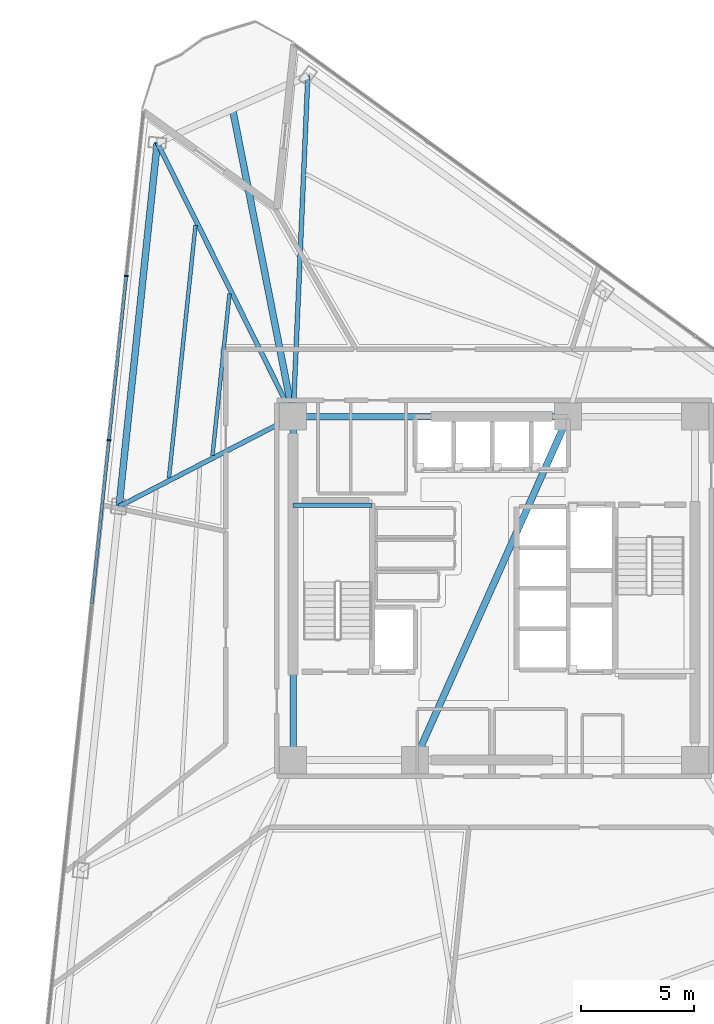
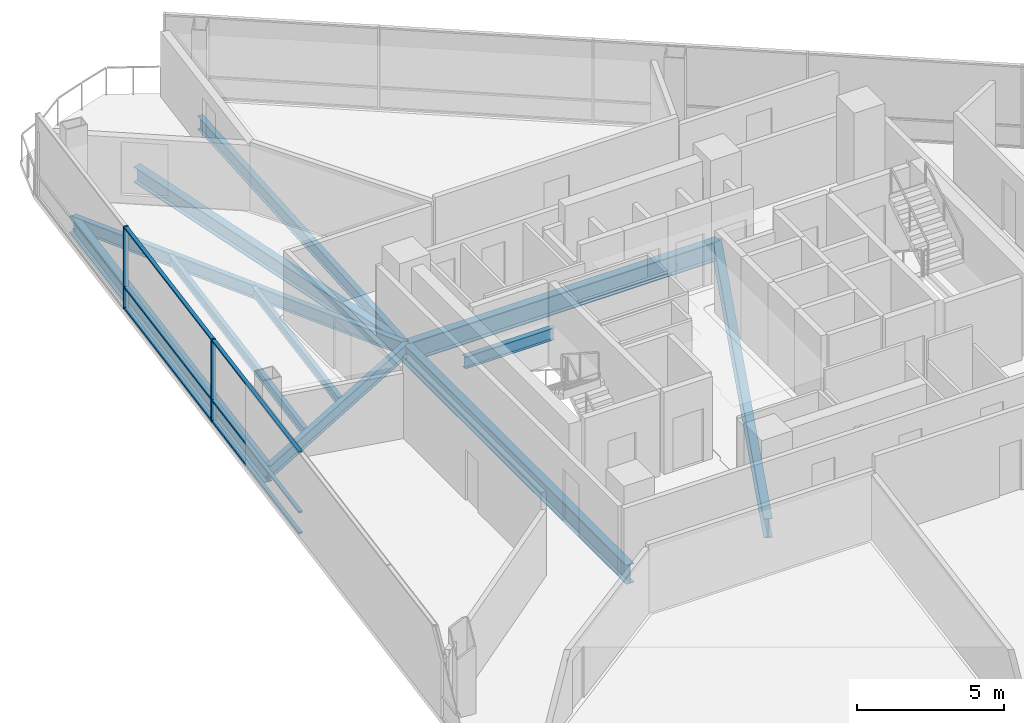
# One storey, part 7 of 19: 11 beams, 8 members, 1 element without a shape of its own.
"""IFC4 building model written with IfcOpenShell, lengths in metres."""

from ifc_helpers import new_model, si_unit, direction, frame, origin, origin_2d, place, context, subcontext, project, spatial, rectangle, i_section, extrude, material, layer, layer_set, material_profile, profile_set, type_object, element, aggregate, save


model = new_model("IFC4")

# Units and contexts
model_context = context("Model", 3, precision=1e-05, world=origin(), true_north=direction((0.0, 1.0)))
body_context = subcontext(model_context, "Body", "Model", "MODEL_VIEW")
ifc_project = project(units=[si_unit("LENGTHUNIT", "METRE"), si_unit("AREAUNIT", "SQUARE_METRE"), si_unit("VOLUMEUNIT", "CUBIC_METRE"), si_unit("PLANEANGLEUNIT", "RADIAN"), si_unit("MASSUNIT", "GRAM", prefix="KILO")], contexts=[model_context])

# Site, building, storey
site_placement = place(None, origin())
site = spatial("IfcSite", under=ifc_project, at=site_placement, CompositionType="ELEMENT")
building_placement = place(site_placement, origin())
building = spatial("IfcBuilding", under=site, at=building_placement, Name="Tharavind Bronze Gate", CompositionType="ELEMENT")
storey_placement = place(building_placement, frame((0.0, 0.0, 126.85009765625)))
storey = spatial("IfcBuildingStorey", under=building, at=storey_placement, Name="L32", CompositionType="ELEMENT", Elevation=126.85009765625)

# Curtain wall, members
ifc_material_1 = material(Name="Anodised Bronze Aluminium", Category="aluminium")
ifc_layer = layer(ifc_material_1, 0.219970703125)
ifc_layer_set = layer_set([ifc_layer], Name="Anodised Bronze Aluminium")
curtain_wall_type = type_object("IfcCurtainWallType", Name="UNITISED CURTAIN WALL LOWER OFFICE", PredefinedType="USERDEFINED", material=ifc_layer_set)
curtain_wall_placement = place(storey_placement, origin())
curtain_wall = element("IfcCurtainWall", 1, at=curtain_wall_placement, inside=storey, type_object=curtain_wall_type, Name="L32 unitised curtain wall lower office CW-L32-S1", ObjectType="UNITISED CURTAIN WALL", PredefinedType="USERDEFINED")
member_type_1 = type_object("IfcMemberType", Name="CURTAIN WALL BRONZE MULLION 65X180", PredefinedType="MULLION", material=ifc_material_1)
member_1_placement = place(storey_placement, frame((-16.2919921875, 13.828369140625, 0.0), z_axis=(0.0, 0.0, 1.0), x_axis=(-0.104526727499, -0.994522077803, 0.0)))
member_1 = element("IfcMember", 2, at=member_1_placement, type_object=member_type_1, Name="CW-L32-S1 mullion 2", PredefinedType="MULLION", context=body_context, shape_type="SweptSolid", body=[
    extrude(rectangle(XDim=0.06494140625, YDim=0.179931640625, at=origin_2d()), origin(), (0.0, 0.0, 1.0), 3.409912109375),
])
member_2_placement = place(storey_placement, frame((-17.056396484375, 6.55517578125, 0.0), z_axis=(0.0, 0.0, 1.0), x_axis=(-0.104526727499, -0.994522077803, 0.0)))
member_2 = element("IfcMember", 3, at=member_2_placement, type_object=member_type_1, Name="CW-L32-S1 mullion 3", PredefinedType="MULLION", context=body_context, shape_type="SweptSolid", body=[
    extrude(rectangle(XDim=0.06494140625, YDim=0.179931640625, at=origin_2d()), origin(), (0.0, 0.0, 1.0), 3.409912109375),
])
member_type_2 = type_object("IfcMemberType", Name="CURTAIN WALL BRONZE TRANSOM 65X140", PredefinedType="USERDEFINED", material=ifc_material_1)
member_3_placement = place(storey_placement, frame((-16.67431640625, 10.19189453125, 0.0), z_axis=(0.0, 0.0, 1.0), x_axis=(-0.104526727499, -0.994522077803, 0.0)))
member_3 = element("IfcMember", 4, at=member_3_placement, type_object=member_type_2, Name="CW-L32-S1 transom TB2", ObjectType="TRANSOM", PredefinedType="USERDEFINED", context=body_context, shape_type="SweptSolid", body=[
    extrude(rectangle(XDim=7.26025390625, YDim=0.139892578125, at=origin_2d()), origin(), (0.0, 0.0, 1.0), 0.06494140625),
])
member_4_placement = place(storey_placement, frame((-16.67431640625, 10.19189453125, 0.867431640625), z_axis=(0.0, 0.0, 1.0), x_axis=(-0.104526727499, -0.994522077803, 0.0)))
member_4 = element("IfcMember", 5, at=member_4_placement, type_object=member_type_2, Name="CW-L32-S1 transom TS2", ObjectType="TRANSOM", PredefinedType="USERDEFINED", context=body_context, shape_type="SweptSolid", body=[
    extrude(rectangle(XDim=7.26025390625, YDim=0.139892578125, at=origin_2d()), origin(), (0.0, 0.0, 1.0), 0.06494140625),
])
member_5_placement = place(storey_placement, frame((-16.67431640625, 10.19189453125, 3.344970703125), z_axis=(0.0, 0.0, 1.0), x_axis=(-0.104526727499, -0.994522077803, 0.0)))
member_5 = element("IfcMember", 6, at=member_5_placement, type_object=member_type_2, Name="CW-L32-S1 transom TT2", ObjectType="TRANSOM", PredefinedType="USERDEFINED", context=body_context, shape_type="SweptSolid", body=[
    extrude(rectangle(XDim=7.26025390625, YDim=0.139892578125, at=origin_2d()), origin(), (0.0, 0.0, 1.0), 0.06494140625),
])
member_6_placement = place(storey_placement, frame((-17.438720703125, 2.91845703125, 0.0), z_axis=(0.0, 0.0, 1.0), x_axis=(-0.104526727499, -0.994522077803, 0.0)))
member_6 = element("IfcMember", 7, at=member_6_placement, type_object=member_type_2, Name="CW-L32-S1 transom TB3", ObjectType="TRANSOM", PredefinedType="USERDEFINED", context=body_context, shape_type="SweptSolid", body=[
    extrude(rectangle(XDim=7.26025390625, YDim=0.139892578125, at=origin_2d()), origin(), (0.0, 0.0, 1.0), 0.06494140625),
])
member_7_placement = place(storey_placement, frame((-17.438720703125, 2.91845703125, 0.867431640625), z_axis=(0.0, 0.0, 1.0), x_axis=(-0.104526727499, -0.994522077803, 0.0)))
member_7 = element("IfcMember", 8, at=member_7_placement, type_object=member_type_2, Name="CW-L32-S1 transom TS3", ObjectType="TRANSOM", PredefinedType="USERDEFINED", context=body_context, shape_type="SweptSolid", body=[
    extrude(rectangle(XDim=7.26025390625, YDim=0.139892578125, at=origin_2d()), origin(), (0.0, 0.0, 1.0), 0.06494140625),
])
member_8_placement = place(storey_placement, frame((-17.438720703125, 2.91845703125, 3.344970703125), z_axis=(0.0, 0.0, 1.0), x_axis=(-0.104526727499, -0.994522077803, 0.0)))
member_8 = element("IfcMember", 9, at=member_8_placement, type_object=member_type_2, Name="CW-L32-S1 transom TT3", ObjectType="TRANSOM", PredefinedType="USERDEFINED", context=body_context, shape_type="SweptSolid", body=[
    extrude(rectangle(XDim=7.26025390625, YDim=0.139892578125, at=origin_2d()), origin(), (0.0, 0.0, 1.0), 0.06494140625),
])
aggregate(curtain_wall, [member_1, member_2, member_3, member_4, member_5, member_6, member_7, member_8])

# Beams
ifc_material_2 = material(Name="Steel S355", Category="steel")
ifc_material_profile_1 = material_profile(ifc_material_2, i_section(OverallWidth=0.300048828125, OverallDepth=0.64990234375, WebThickness=0.01611328125, FlangeThickness=0.031005859375, at=origin_2d()), Name="HE650B")
ifc_profile_set_1 = profile_set([ifc_material_profile_1], Name="Steel S355")
beam_type_1 = type_object("IfcBeamType", Name="PRIMARY GIRDER HE650B", PredefinedType="USERDEFINED", material=ifc_profile_set_1)
beam_1_placement = place(storey_placement, frame((-8.89990234375, 7.60009765625, -0.51513671875), z_axis=(-0.193337817279, 0.981132248176, 0.0), x_axis=(-0.981132248176, -0.193337817279, 0.0)))
element("IfcBeam", 10, at=beam_1_placement, inside=storey, type_object=beam_type_1, Name="L32 primary girder he650b BM-L32-BLCSB", ObjectType="GIRDER", PredefinedType="USERDEFINED", context=body_context, shape_type="SweptSolid", body=[
    extrude(i_section(OverallWidth=0.300048828125, OverallDepth=0.64990234375, WebThickness=0.01611328125, FlangeThickness=0.031005859375, at=origin_2d()), origin(), (0.0, 0.0, 1.0), 13.8779296875),
])
ifc_material_profile_2 = material_profile(ifc_material_2, i_section(OverallWidth=0.199951171875, OverallDepth=0.5, WebThickness=0.01025390625, FlangeThickness=0.01611328125, at=origin_2d()), Name="IPE500")
ifc_profile_set_2 = profile_set([ifc_material_profile_2], Name="Steel S355")
beam_type_2 = type_object("IfcBeamType", Name="PRIMARY GIRDER IPE500", PredefinedType="USERDEFINED", material=ifc_profile_set_2)
beam_2_placement = place(storey_placement, frame((-8.89990234375, 3.679931640625, 1.349853515625), z_axis=(1.0, 0.0, 0.0), x_axis=(0.0, 1.0, 0.0)))
element("IfcBeam", 11, at=beam_2_placement, inside=storey, type_object=beam_type_2, Name="L32 primary girder ipe500 BM-LD-ST1-L32-1", ObjectType="GIRDER", PredefinedType="USERDEFINED", context=body_context, shape_type="SweptSolid", body=[
    extrude(i_section(OverallWidth=0.199951171875, OverallDepth=0.5, WebThickness=0.01025390625, FlangeThickness=0.01611328125, at=origin_2d()), origin(), (0.0, 0.0, 1.0), 3.5),
])
ifc_material_profile_3 = material_profile(ifc_material_2, i_section(OverallWidth=0.2099609375, OverallDepth=0.550048828125, WebThickness=0.010986328125, FlangeThickness=0.01708984375, at=origin_2d()), Name="IPE550")
ifc_profile_set_3 = profile_set([ifc_material_profile_3], Name="Steel S355")
beam_type_3 = type_object("IfcBeamType", Name="PRIMARY GIRDER IPE550", PredefinedType="USERDEFINED", material=ifc_profile_set_3)
beam_3_placement = place(storey_placement, frame((-14.91748046875, 19.7314453125, -0.465087890625), z_axis=(0.444370024662, -0.895843335177, 0.0), x_axis=(0.895843335177, 0.444370024662, 0.0)))
element("IfcBeam", 12, at=beam_3_placement, inside=storey, type_object=beam_type_3, Name="L32 primary girder ipe550 BM-L32-RAD01", ObjectType="GIRDER", PredefinedType="USERDEFINED", context=body_context, shape_type="SweptSolid", body=[
    extrude(i_section(OverallWidth=0.2099609375, OverallDepth=0.550048828125, WebThickness=0.010986328125, FlangeThickness=0.01708984375, at=origin_2d()), origin(), (0.0, 0.0, 1.0), 13.541748046875),
])
beam_4_placement = place(storey_placement, frame((-16.610595703125, 3.62158203125, -0.465087890625), z_axis=(0.888676879782, 0.45853397185, 0.0), x_axis=(-0.45853397185, 0.888676879782, 0.0)))
element("IfcBeam", 13, at=beam_4_placement, inside=storey, type_object=beam_type_3, Name="L32 primary girder ipe550 BM-L32-RAD02", ObjectType="GIRDER", PredefinedType="USERDEFINED", context=body_context, shape_type="SweptSolid", body=[
    extrude(i_section(OverallWidth=0.2099609375, OverallDepth=0.550048828125, WebThickness=0.010986328125, FlangeThickness=0.01708984375, at=origin_2d()), origin(), (0.0, 0.0, 1.0), 8.676513671875),
])
beam_5_placement = place(storey_placement, frame((-8.24853515625, 22.70068359375, -0.465087890625), z_axis=(-0.043095152207, -0.999070972382, 0.0), x_axis=(0.999070972382, -0.043095152207, 0.0)))
element("IfcBeam", 14, at=beam_5_placement, inside=storey, type_object=beam_type_3, Name="L32 primary girder ipe550 BM-L32-RAD12", ObjectType="GIRDER", PredefinedType="USERDEFINED", context=body_context, shape_type="SweptSolid", body=[
    extrude(i_section(OverallWidth=0.2099609375, OverallDepth=0.550048828125, WebThickness=0.010986328125, FlangeThickness=0.01708984375, at=origin_2d()), origin(), (0.0, 0.0, 1.0), 15.11474609375),
])
ifc_material_profile_4 = material_profile(ifc_material_2, i_section(OverallWidth=0.300048828125, OverallDepth=0.699951171875, WebThickness=0.01708984375, FlangeThickness=0.031982421875, at=origin_2d()), Name="HE700B")
ifc_profile_set_4 = profile_set([ifc_material_profile_4], Name="Steel S355")
beam_type_4 = type_object("IfcBeamType", Name="RING GIRDER HE700B", PredefinedType="USERDEFINED", material=ifc_profile_set_4)
beam_6_placement = place(storey_placement, frame((-14.91748046875, 19.7314453125, -0.5400390625), z_axis=(-0.104522380175, -0.994522534708, 0.0), x_axis=(0.994522534708, -0.104522380175, 0.0)))
element("IfcBeam", 15, at=beam_6_placement, inside=storey, type_object=beam_type_4, Name="L32 ring girder he700b BM-L32-PRG01", ObjectType="GIRDER", PredefinedType="USERDEFINED", context=body_context, shape_type="SweptSolid", body=[
    extrude(i_section(OverallWidth=0.300048828125, OverallDepth=0.699951171875, WebThickness=0.01708984375, FlangeThickness=0.031982421875, at=origin_2d()), origin(), (0.0, 0.0, 1.0), 16.198486328125),
])
ifc_material_profile_5 = material_profile(ifc_material_2, i_section(OverallWidth=0.300048828125, OverallDepth=0.800048828125, WebThickness=0.017578125, FlangeThickness=0.032958984375, at=origin_2d()), Name="HE800B")
ifc_profile_set_5 = profile_set([ifc_material_profile_5], Name="Steel S355")
beam_type_5 = type_object("IfcBeamType", Name="RING GIRDER HE800B", PredefinedType="USERDEFINED", material=ifc_profile_set_5)
beam_7_placement = place(storey_placement, frame((3.280029296875, 7.60009765625, -0.590087890625), z_axis=(-1.0, 0.0, 0.0), x_axis=(0.0, -1.0, 0.0)))
element("IfcBeam", 16, at=beam_7_placement, inside=storey, type_object=beam_type_5, Name="L32 ring girder he800b BM-L32-CR5", ObjectType="GIRDER", PredefinedType="USERDEFINED", context=body_context, shape_type="SweptSolid", body=[
    extrude(i_section(OverallWidth=0.300048828125, OverallDepth=0.800048828125, WebThickness=0.017578125, FlangeThickness=0.032958984375, at=origin_2d()), origin(), (0.0, 0.0, 1.0), 12.179931640625),
])
beam_8_placement = place(storey_placement, frame((-8.89990234375, 7.60009765625, -0.590087890625), z_axis=(0.0, -1.0, 0.0), x_axis=(1.0, 0.0, 0.0)))
element("IfcBeam", 17, at=beam_8_placement, inside=storey, type_object=beam_type_5, Name="L32 ring girder he800b BM-L32-CR6", ObjectType="GIRDER", PredefinedType="USERDEFINED", context=body_context, shape_type="SweptSolid", body=[
    extrude(i_section(OverallWidth=0.300048828125, OverallDepth=0.800048828125, WebThickness=0.017578125, FlangeThickness=0.032958984375, at=origin_2d()), origin(), (0.0, 0.0, 1.0), 15.2001953125),
])
beam_9_placement = place(storey_placement, frame((-3.5, -7.60009765625, -0.590087890625), z_axis=(0.407361644566, 0.913266932795, 0.0), x_axis=(-0.913266932795, 0.407361644566, 0.0)))
element("IfcBeam", 18, at=beam_9_placement, inside=storey, type_object=beam_type_5, Name="L32 ring girder he800b BM-L32-CR7", ObjectType="GIRDER", PredefinedType="USERDEFINED", context=body_context, shape_type="SweptSolid", body=[
    extrude(i_section(OverallWidth=0.300048828125, OverallDepth=0.800048828125, WebThickness=0.017578125, FlangeThickness=0.032958984375, at=origin_2d()), origin(), (0.0, 0.0, 1.0), 16.643798828125),
])
ifc_material_profile_6 = material_profile(ifc_material_2, i_section(OverallWidth=0.169921875, OverallDepth=0.360107421875, WebThickness=0.008056640625, FlangeThickness=0.0126953125, at=origin_2d()), Name="IPE360")
ifc_profile_set_6 = profile_set([ifc_material_profile_6], Name="Steel S355")
beam_type_6 = type_object("IfcBeamType", Name="SECONDARY FLOOR JOIST IPE360", PredefinedType="JOIST", material=ifc_profile_set_6)
beam_10_placement = place(storey_placement, frame((-11.718994140625, 13.0419921875, -0.3701171875), z_axis=(-0.104536567764, -0.994521043518, 0.0), x_axis=(0.994521043518, -0.104536567764, 0.0)))
element("IfcBeam", 19, at=beam_10_placement, inside=storey, type_object=beam_type_6, Name="L32 secondary floor joist ipe360 BM-L32-JSTA01", PredefinedType="JOIST", context=body_context, shape_type="SweptSolid", body=[
    extrude(i_section(OverallWidth=0.169921875, OverallDepth=0.360107421875, WebThickness=0.008056640625, FlangeThickness=0.0126953125, at=origin_2d()), origin(), (0.0, 0.0, 1.0), 7.20263671875),
])
beam_11_placement = place(storey_placement, frame((-13.223388671875, 16.074951171875, -0.3701171875), z_axis=(-0.104516494227, -0.994523153292, 0.0), x_axis=(0.994523153292, -0.104516494227, 0.0)))
element("IfcBeam", 20, at=beam_11_placement, inside=storey, type_object=beam_type_6, Name="L32 secondary floor joist ipe360 BM-L32-JSTB01", PredefinedType="JOIST", context=body_context, shape_type="SweptSolid", body=[
    extrude(i_section(OverallWidth=0.169921875, OverallDepth=0.360107421875, WebThickness=0.008056640625, FlangeThickness=0.0126953125, at=origin_2d()), origin(), (0.0, 0.0, 1.0), 11.251953125),
])

save(model, "model.ifc")
